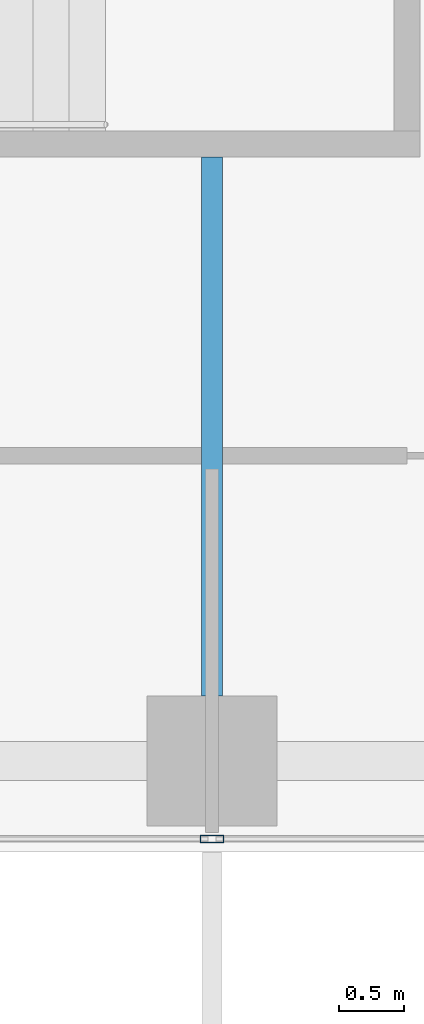
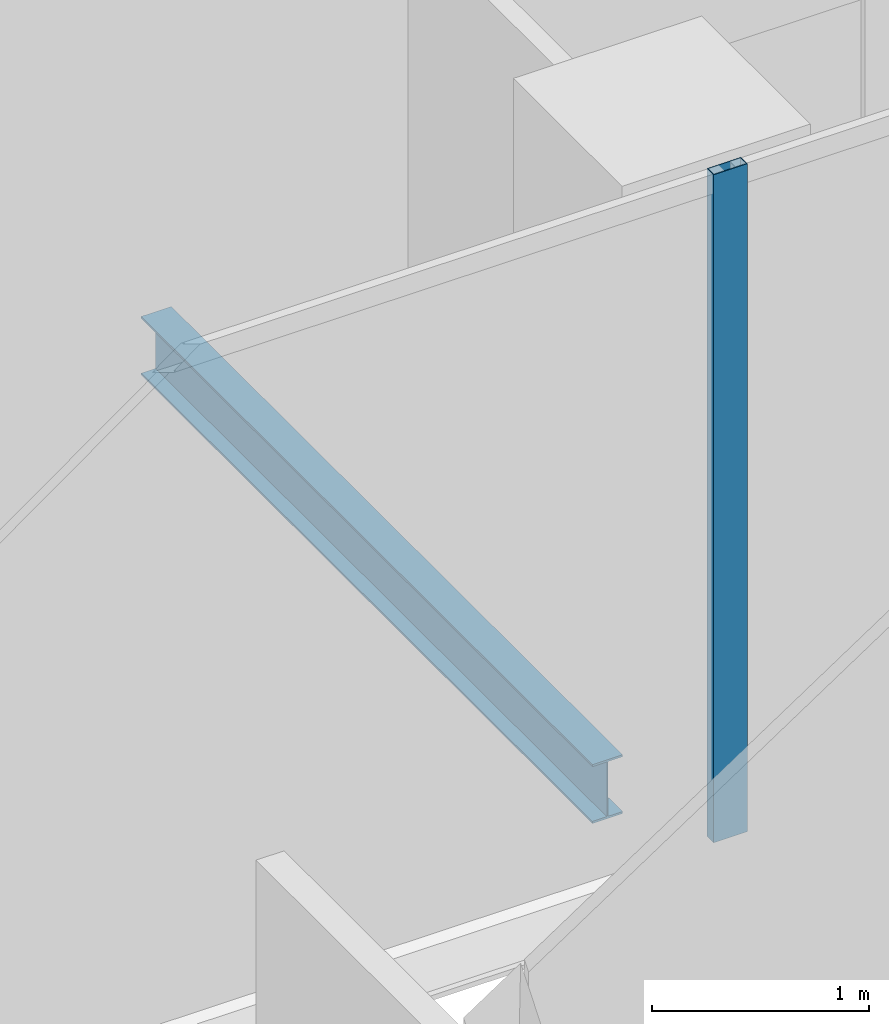
# One storey, part 5 of 35: 1 beam, 1 member, 1 element without a shape of its own.
"""IFC4 building model written with IfcOpenShell, lengths in metres."""

from ifc_helpers import new_model, si_unit, direction, frame, origin, origin_2d, place, context, subcontext, project, spatial, hollow_rectangle, i_section, extrude, source, transform, mapped, material, material_profile, profile_set, type_object, element, aggregate, save


model = new_model("IFC4")

# Units and contexts
model_context = context("Model", 3, precision=1e-05, world=origin(), true_north=direction((0.0, 1.0)))
body_context = subcontext(model_context, "Body", "Model", "MODEL_VIEW")
ifc_project = project(units=[si_unit("LENGTHUNIT", "METRE"), si_unit("AREAUNIT", "SQUARE_METRE"), si_unit("VOLUMEUNIT", "CUBIC_METRE"), si_unit("PLANEANGLEUNIT", "RADIAN"), si_unit("MASSUNIT", "GRAM", prefix="KILO")], contexts=[model_context])

# Site, building, storey
site_placement = place(None, origin())
site = spatial("IfcSite", under=ifc_project, at=site_placement, CompositionType="ELEMENT")
building_placement = place(site_placement, origin())
building = spatial("IfcBuilding", under=site, at=building_placement, Name="Khomas Fold Tower", CompositionType="ELEMENT")
storey_placement = place(building_placement, frame((0.0, 0.0, 200.699951171875)))
storey = spatial("IfcBuildingStorey", under=building, at=storey_placement, Name="L44", CompositionType="ELEMENT", Elevation=200.699951171875)

# Beam
ifc_material_1 = material(Name="Steel S355", Category="steel")
ifc_material_profile_1 = material_profile(ifc_material_1, i_section(OverallWidth=0.159912109375, OverallDepth=0.330078125, WebThickness=0.007568359375, FlangeThickness=0.011474609375, at=origin_2d()), Name="IPE 330")
ifc_profile_set_1 = profile_set([ifc_material_profile_1], Name="Steel S355")
beam_type = type_object("IfcBeamType", Name="IPE 330 beam JB1", PredefinedType="BEAM", material=ifc_profile_set_1)
shared_shape_1 = source(origin(), body_context, "Body", "SweptSolid", [
    extrude(i_section(OverallWidth=0.159912109375, OverallDepth=0.330078125, WebThickness=0.007568359375, FlangeThickness=0.011474609375, at=origin_2d()), origin(), (0.0, 0.0, 1.0), 4.150146484375),
])
beam_placement = place(storey_placement, frame((19.5, 4.199951171875, -0.4150390625), z_axis=(0.0, 1.0, 0.0), x_axis=(-1.0, 0.0, 0.0)))
element("IfcBeam", 1, at=beam_placement, inside=storey, type_object=beam_type, Name="JB1", PredefinedType="BEAM", context=body_context, shape_type="MappedRepresentation", body=[
    mapped(shared_shape_1, transform((0.0, 0.0, 0.0))),
])

# Curtain wall, member
ifc_material_2 = material(Name="Aluminium framed double glazing", Category="aluminium")
curtain_wall_type = type_object("IfcCurtainWallType", Name="SK-Unitised clear-glass wall, office floors CW2", PredefinedType="NOTDEFINED", material=ifc_material_2)
curtain_wall_placement = place(storey_placement, origin())
curtain_wall = element("IfcCurtainWall", 2, at=curtain_wall_placement, inside=storey, type_object=curtain_wall_type, Name="CW2 run L44 00-0", PredefinedType="NOTDEFINED")
ifc_material_3 = material(Name="Aluminium", Category="aluminium")
ifc_material_profile_2 = material_profile(ifc_material_3, hollow_rectangle(XDim=0.06005859375, YDim=0.179931640625, WallThickness=0.00390625, at=origin_2d()), Name="SK-Unitised clear-glass wall, office floors mullion CW2-M")
ifc_profile_set_2 = profile_set([ifc_material_profile_2], Name="Aluminium")
member_type = type_object("IfcMemberType", Name="SK-Unitised clear-glass wall, office floors mullion CW2-M", PredefinedType="MULLION", material=ifc_profile_set_2)
shared_shape_2 = source(origin(), body_context, "Body", "SweptSolid", [
    extrude(hollow_rectangle(XDim=0.06005859375, YDim=0.179931640625, WallThickness=0.00390625, at=origin_2d()), origin(), (0.0, 0.0, 1.0), 3.75),
])
member_placement = place(storey_placement, frame((19.5, 3.10009765625, 0.0), z_axis=(0.0, 0.0, 1.0), x_axis=(0.0, 1.0, 0.0)))
member = element("IfcMember", 3, at=member_placement, type_object=member_type, Name="CW2 mullion 4", PredefinedType="MULLION", context=body_context, shape_type="MappedRepresentation", body=[
    mapped(shared_shape_2, transform((0.0, 0.0, 0.0))),
])
aggregate(curtain_wall, [member])

save(model, "model.ifc")
